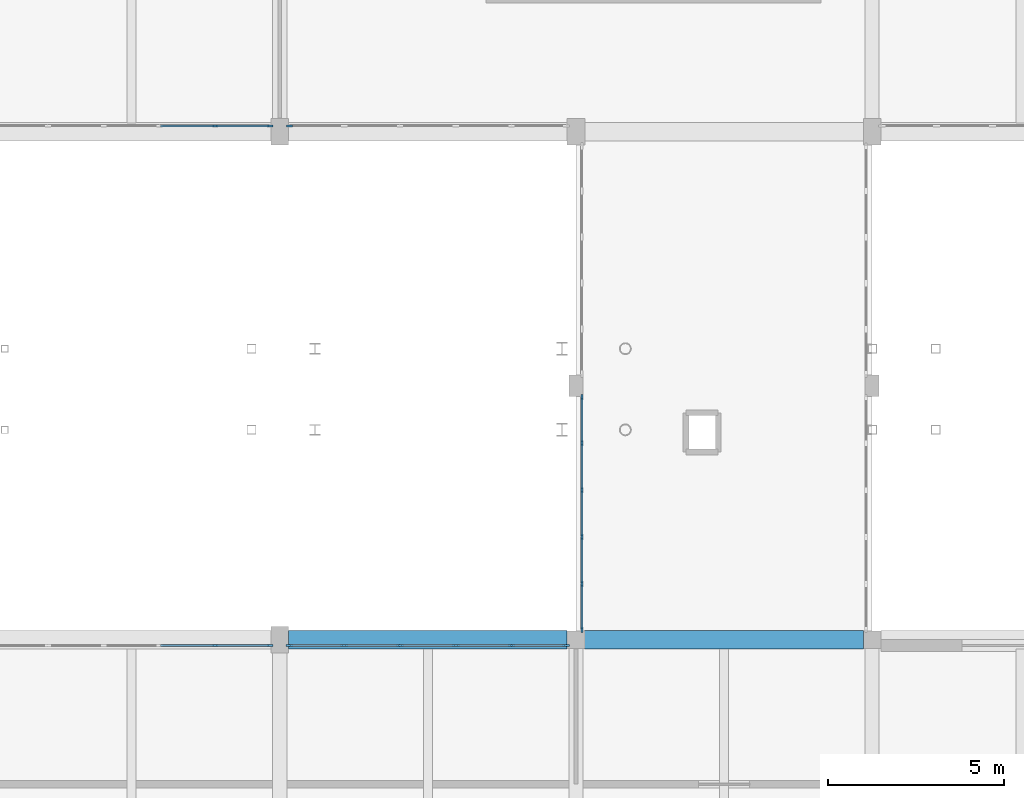
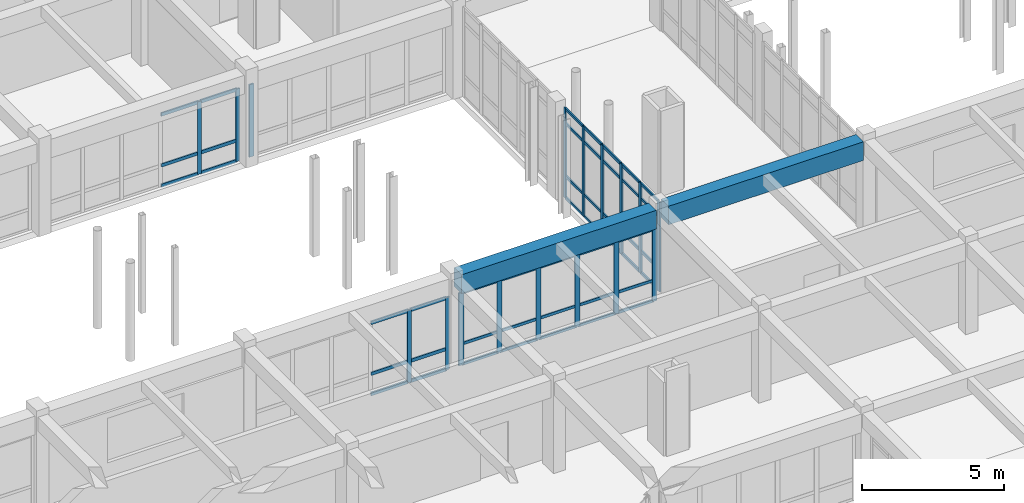
# One storey, part 64 of 147: 64 members, 2 beams, 5 elements without a shape of their own.
"""IFC4 building model written with IfcOpenShell, lengths in metres."""

from ifc_helpers import new_model, si_unit, direction, frame, origin, origin_2d, place, context, subcontext, project, spatial, rectangle, extrude, material, material_profile, profile_set, type_object, element, aggregate, save


model = new_model("IFC4")

# Units and contexts
model_context = context("Model", 3, precision=1e-05, world=origin(), true_north=direction((0.0, 1.0)))
body_context = subcontext(model_context, "Body", "Model", "MODEL_VIEW")
ifc_project = project(units=[si_unit("LENGTHUNIT", "METRE"), si_unit("AREAUNIT", "SQUARE_METRE"), si_unit("VOLUMEUNIT", "CUBIC_METRE"), si_unit("PLANEANGLEUNIT", "RADIAN"), si_unit("MASSUNIT", "GRAM", prefix="KILO")], contexts=[model_context])

# Site, building, storey
site_placement = place(None, origin())
site = spatial("IfcSite", under=ifc_project, at=site_placement, CompositionType="ELEMENT")
building_placement = place(site_placement, origin())
building = spatial("IfcBuilding", under=site, at=building_placement, Name="Malvenik Polytechnic", CompositionType="ELEMENT")
storey_placement = place(building_placement, frame((0.0, 0.0, 5.10009765625)))
storey = spatial("IfcBuildingStorey", under=building, at=storey_placement, Name="L01", CompositionType="ELEMENT", Elevation=5.10009765625)

# Curtain wall, members
ifc_material_1 = material(Name="Anodised aluminium 6060-T6", Category="aluminium")
curtain_wall_type_1 = type_object("IfcCurtainWallType", Name="ARC-CW-CW-04", PredefinedType="NOTDEFINED", material=ifc_material_1)
curtain_wall_1_placement = place(storey_placement, origin())
curtain_wall_1 = element("IfcCurtainWall", 1, at=curtain_wall_1_placement, inside=storey, type_object=curtain_wall_type_1, Name="Unitised Curtain Wall CW-04 L01 #23", PredefinedType="NOTDEFINED")
ifc_material_2 = material(Name="Anodised aluminium", Category="aluminium")
ifc_material_profile_1 = material_profile(ifc_material_2, rectangle(XDim=0.06005859375, YDim=0.159912109375, at=origin_2d()), Name="ALU MULLION 60x160")
ifc_profile_set_1 = profile_set([ifc_material_profile_1], Name="Anodised aluminium")
member_type_1 = type_object("IfcMemberType", Name="ARC-CWM-160", PredefinedType="MULLION", material=ifc_profile_set_1)
member_1_placement = place(storey_placement, frame((75.77001953125, 65.077880859375, 0.0), z_axis=(0.0, 0.0, 1.0), x_axis=(-1.0, 0.0, 0.0)))
member_1 = element("IfcMember", 2, at=member_1_placement, type_object=member_type_1, Name="CW-04 mullion 1", PredefinedType="MULLION", context=body_context, shape_type="SweptSolid", body=[
    extrude(rectangle(XDim=0.06005859375, YDim=0.159912109375, at=origin_2d()), origin(), (0.0, 0.0, 1.0), 3.85986328125),
])
member_2_placement = place(storey_placement, frame((75.77001953125, 66.37890625, 0.0), z_axis=(0.0, 0.0, 1.0), x_axis=(-1.0, 0.0, 0.0)))
member_2 = element("IfcMember", 3, at=member_2_placement, type_object=member_type_1, Name="CW-04 mullion 2", PredefinedType="MULLION", context=body_context, shape_type="SweptSolid", body=[
    extrude(rectangle(XDim=0.06005859375, YDim=0.159912109375, at=origin_2d()), origin(), (0.0, 0.0, 1.0), 3.85986328125),
])
member_3_placement = place(storey_placement, frame((75.77001953125, 67.709716796875, 0.0), z_axis=(0.0, 0.0, 1.0), x_axis=(-1.0, 0.0, 0.0)))
member_3 = element("IfcMember", 4, at=member_3_placement, type_object=member_type_1, Name="CW-04 mullion 3", PredefinedType="MULLION", context=body_context, shape_type="SweptSolid", body=[
    extrude(rectangle(XDim=0.06005859375, YDim=0.159912109375, at=origin_2d()), origin(), (0.0, 0.0, 1.0), 3.85986328125),
])
member_4_placement = place(storey_placement, frame((75.77001953125, 69.040283203125, 0.0), z_axis=(0.0, 0.0, 1.0), x_axis=(-1.0, 0.0, 0.0)))
member_4 = element("IfcMember", 5, at=member_4_placement, type_object=member_type_1, Name="CW-04 mullion 4", PredefinedType="MULLION", context=body_context, shape_type="SweptSolid", body=[
    extrude(rectangle(XDim=0.06005859375, YDim=0.159912109375, at=origin_2d()), origin(), (0.0, 0.0, 1.0), 3.85986328125),
])
member_5_placement = place(storey_placement, frame((75.77001953125, 70.37109375, 0.0), z_axis=(0.0, 0.0, 1.0), x_axis=(-1.0, 0.0, 0.0)))
member_5 = element("IfcMember", 6, at=member_5_placement, type_object=member_type_1, Name="CW-04 mullion 5", PredefinedType="MULLION", context=body_context, shape_type="SweptSolid", body=[
    extrude(rectangle(XDim=0.06005859375, YDim=0.159912109375, at=origin_2d()), origin(), (0.0, 0.0, 1.0), 3.85986328125),
])
member_6_placement = place(storey_placement, frame((75.77001953125, 71.672119140625, 0.0), z_axis=(0.0, 0.0, 1.0), x_axis=(-1.0, 0.0, 0.0)))
member_6 = element("IfcMember", 7, at=member_6_placement, type_object=member_type_1, Name="CW-04 mullion 6", PredefinedType="MULLION", context=body_context, shape_type="SweptSolid", body=[
    extrude(rectangle(XDim=0.06005859375, YDim=0.159912109375, at=origin_2d()), origin(), (0.0, 0.0, 1.0), 3.85986328125),
])

curtain_wall_type_2 = type_object("IfcCurtainWallType", Name="ARC-CW-CW-02", PredefinedType="NOTDEFINED", material=ifc_material_1)
curtain_wall_2_placement = place(storey_placement, origin())
curtain_wall_2 = element("IfcCurtainWall", 8, at=curtain_wall_2_placement, inside=storey, type_object=curtain_wall_type_2, Name="Unitised Curtain Wall CW-02 L01 #26", PredefinedType="NOTDEFINED")
member_7_placement = place(storey_placement, frame((66.922119140625, 79.3701171875, 0.0), z_axis=(0.0, 0.0, 1.0), x_axis=(0.0, -1.0, 0.0)))
member_7 = element("IfcMember", 9, at=member_7_placement, type_object=member_type_1, Name="CW-02 mullion 1", PredefinedType="MULLION", context=body_context, shape_type="SweptSolid", body=[
    extrude(rectangle(XDim=0.06005859375, YDim=0.159912109375, at=origin_2d()), origin(), (0.0, 0.0, 1.0), 3.10986328125),
])
member_8_placement = place(storey_placement, frame((65.37109375, 79.3701171875, 0.0), z_axis=(0.0, 0.0, 1.0), x_axis=(0.0, -1.0, 0.0)))
member_8 = element("IfcMember", 10, at=member_8_placement, type_object=member_type_1, Name="CW-02 mullion 2", PredefinedType="MULLION", context=body_context, shape_type="SweptSolid", body=[
    extrude(rectangle(XDim=0.06005859375, YDim=0.159912109375, at=origin_2d()), origin(), (0.0, 0.0, 1.0), 3.10986328125),
])

curtain_wall_3_placement = place(storey_placement, origin())
curtain_wall_3 = element("IfcCurtainWall", 11, at=curtain_wall_3_placement, inside=storey, type_object=curtain_wall_type_2, Name="Unitised Curtain Wall CW-02 L01 #128", PredefinedType="NOTDEFINED")
member_9_placement = place(storey_placement, frame((65.37109375, 64.6298828125, 0.0), z_axis=(0.0, 0.0, 1.0), x_axis=(0.0, 1.0, 0.0)))
member_9 = element("IfcMember", 12, at=member_9_placement, type_object=member_type_1, Name="CW-02 mullion 5", PredefinedType="MULLION", context=body_context, shape_type="SweptSolid", body=[
    extrude(rectangle(XDim=0.06005859375, YDim=0.159912109375, at=origin_2d()), origin(), (0.0, 0.0, 1.0), 3.10986328125),
])
member_10_placement = place(storey_placement, frame((66.922119140625, 64.6298828125, 0.0), z_axis=(0.0, 0.0, 1.0), x_axis=(0.0, 1.0, 0.0)))
member_10 = element("IfcMember", 13, at=member_10_placement, type_object=member_type_1, Name="CW-02 mullion 6", PredefinedType="MULLION", context=body_context, shape_type="SweptSolid", body=[
    extrude(rectangle(XDim=0.06005859375, YDim=0.159912109375, at=origin_2d()), origin(), (0.0, 0.0, 1.0), 3.10986328125),
])

# Curtain wall, member
curtain_wall_4_placement = place(storey_placement, origin())
curtain_wall_4 = element("IfcCurtainWall", 14, at=curtain_wall_4_placement, inside=storey, type_object=curtain_wall_type_2, Name="Unitised Curtain Wall CW-02 L01 #25", PredefinedType="NOTDEFINED")
ifc_material_profile_2 = material_profile(ifc_material_2, rectangle(XDim=0.06005859375, YDim=0.179931640625, at=origin_2d()), Name="ALU MULLION 60x180")
ifc_profile_set_2 = profile_set([ifc_material_profile_2], Name="Anodised aluminium")
member_type_2 = type_object("IfcMemberType", Name="ARC-CWM-180", PredefinedType="MULLION", material=ifc_profile_set_2)
member_11_placement = place(storey_placement, frame((67.47802734375, 79.3701171875, 0.0), z_axis=(0.0, 0.0, 1.0), x_axis=(0.0, -1.0, 0.0)))
member_11 = element("IfcMember", 15, at=member_11_placement, type_object=member_type_2, Name="CW-02 mullion 6", PredefinedType="MULLION", context=body_context, shape_type="SweptSolid", body=[
    extrude(rectangle(XDim=0.06005859375, YDim=0.179931640625, at=origin_2d()), origin(), (0.0, 0.0, 1.0), 3.10986328125),
])
aggregate(curtain_wall_4, [member_11])

# Curtain wall, members
curtain_wall_5_placement = place(storey_placement, origin())
curtain_wall_5 = element("IfcCurtainWall", 16, at=curtain_wall_5_placement, inside=storey, type_object=curtain_wall_type_2, Name="Unitised Curtain Wall CW-02 L01 #129", PredefinedType="NOTDEFINED")
ifc_material_profile_3 = material_profile(ifc_material_2, rectangle(XDim=0.06005859375, YDim=0.199951171875, at=origin_2d()), Name="ALU MULLION 60x200")
ifc_profile_set_3 = profile_set([ifc_material_profile_3], Name="Anodised aluminium")
member_type_3 = type_object("IfcMemberType", Name="ARC-CWM-200", PredefinedType="MULLION", material=ifc_profile_set_3)
member_12_placement = place(storey_placement, frame((67.47802734375, 64.6298828125, 0.0), z_axis=(0.0, 0.0, 1.0), x_axis=(0.0, 1.0, 0.0)))
member_12 = element("IfcMember", 17, at=member_12_placement, type_object=member_type_3, Name="CW-02 mullion 1", PredefinedType="MULLION", context=body_context, shape_type="SweptSolid", body=[
    extrude(rectangle(XDim=0.06005859375, YDim=0.199951171875, at=origin_2d()), origin(), (0.0, 0.0, 1.0), 3.10986328125),
])
member_13_placement = place(storey_placement, frame((69.02880859375, 64.6298828125, 0.0), z_axis=(0.0, 0.0, 1.0), x_axis=(0.0, 1.0, 0.0)))
member_13 = element("IfcMember", 18, at=member_13_placement, type_object=member_type_3, Name="CW-02 mullion 2", PredefinedType="MULLION", context=body_context, shape_type="SweptSolid", body=[
    extrude(rectangle(XDim=0.06005859375, YDim=0.199951171875, at=origin_2d()), origin(), (0.0, 0.0, 1.0), 3.10986328125),
])
member_14_placement = place(storey_placement, frame((70.609619140625, 64.6298828125, 0.0), z_axis=(0.0, 0.0, 1.0), x_axis=(0.0, 1.0, 0.0)))
member_14 = element("IfcMember", 19, at=member_14_placement, type_object=member_type_3, Name="CW-02 mullion 3", PredefinedType="MULLION", context=body_context, shape_type="SweptSolid", body=[
    extrude(rectangle(XDim=0.06005859375, YDim=0.199951171875, at=origin_2d()), origin(), (0.0, 0.0, 1.0), 3.10986328125),
])
member_15_placement = place(storey_placement, frame((72.1904296875, 64.6298828125, 0.0), z_axis=(0.0, 0.0, 1.0), x_axis=(0.0, 1.0, 0.0)))
member_15 = element("IfcMember", 20, at=member_15_placement, type_object=member_type_3, Name="CW-02 mullion 4", PredefinedType="MULLION", context=body_context, shape_type="SweptSolid", body=[
    extrude(rectangle(XDim=0.06005859375, YDim=0.199951171875, at=origin_2d()), origin(), (0.0, 0.0, 1.0), 3.10986328125),
])
member_16_placement = place(storey_placement, frame((73.771240234375, 64.6298828125, 0.0), z_axis=(0.0, 0.0, 1.0), x_axis=(0.0, 1.0, 0.0)))
member_16 = element("IfcMember", 21, at=member_16_placement, type_object=member_type_3, Name="CW-02 mullion 5", PredefinedType="MULLION", context=body_context, shape_type="SweptSolid", body=[
    extrude(rectangle(XDim=0.06005859375, YDim=0.199951171875, at=origin_2d()), origin(), (0.0, 0.0, 1.0), 3.10986328125),
])
member_17_placement = place(storey_placement, frame((75.322021484375, 64.6298828125, 0.0), z_axis=(0.0, 0.0, 1.0), x_axis=(0.0, 1.0, 0.0)))
member_17 = element("IfcMember", 22, at=member_17_placement, type_object=member_type_3, Name="CW-02 mullion 6", PredefinedType="MULLION", context=body_context, shape_type="SweptSolid", body=[
    extrude(rectangle(XDim=0.06005859375, YDim=0.199951171875, at=origin_2d()), origin(), (0.0, 0.0, 1.0), 3.10986328125),
])

# Member
ifc_material_profile_4 = material_profile(ifc_material_2, rectangle(XDim=0.06005859375, YDim=0.1201171875, at=origin_2d()), Name="ALU TRANSOM 60x120")
ifc_profile_set_4 = profile_set([ifc_material_profile_4], Name="Anodised aluminium")
member_type_4 = type_object("IfcMemberType", Name="ARC-CWT-120", PredefinedType="USERDEFINED", material=ifc_profile_set_4)
member_18_placement = place(storey_placement, frame((75.77001953125, 65.10791015625, 0.02978515625), z_axis=(0.0, 1.0, 0.0), x_axis=(-1.0, 0.0, 0.0)))
member_18 = element("IfcMember", 23, at=member_18_placement, type_object=member_type_4, Name="CW-04 transom 1.1", ObjectType="TRANSOM", PredefinedType="USERDEFINED", context=body_context, shape_type="SweptSolid", body=[
    extrude(rectangle(XDim=0.06005859375, YDim=0.1201171875, at=origin_2d()), origin(), (0.0, 0.0, 1.0), 1.240966796875),
])

member_19_placement = place(storey_placement, frame((75.77001953125, 65.10791015625, 0.949951171875), z_axis=(0.0, 1.0, 0.0), x_axis=(-1.0, 0.0, 0.0)))
member_19 = element("IfcMember", 24, at=member_19_placement, type_object=member_type_4, Name="CW-04 transom 1.2", ObjectType="TRANSOM", PredefinedType="USERDEFINED", context=body_context, shape_type="SweptSolid", body=[
    extrude(rectangle(XDim=0.06005859375, YDim=0.1201171875, at=origin_2d()), origin(), (0.0, 0.0, 1.0), 1.240966796875),
])

member_20_placement = place(storey_placement, frame((75.77001953125, 65.10791015625, 3.2099609375), z_axis=(0.0, 1.0, 0.0), x_axis=(-1.0, 0.0, 0.0)))
member_20 = element("IfcMember", 25, at=member_20_placement, type_object=member_type_4, Name="CW-04 transom 1.3", ObjectType="TRANSOM", PredefinedType="USERDEFINED", context=body_context, shape_type="SweptSolid", body=[
    extrude(rectangle(XDim=0.06005859375, YDim=0.1201171875, at=origin_2d()), origin(), (0.0, 0.0, 1.0), 1.240966796875),
])

member_21_placement = place(storey_placement, frame((75.77001953125, 65.10791015625, 3.829833984375), z_axis=(0.0, 1.0, 0.0), x_axis=(-1.0, 0.0, 0.0)))
member_21 = element("IfcMember", 26, at=member_21_placement, type_object=member_type_4, Name="CW-04 transom 1.4", ObjectType="TRANSOM", PredefinedType="USERDEFINED", context=body_context, shape_type="SweptSolid", body=[
    extrude(rectangle(XDim=0.06005859375, YDim=0.1201171875, at=origin_2d()), origin(), (0.0, 0.0, 1.0), 1.240966796875),
])

member_22_placement = place(storey_placement, frame((75.77001953125, 66.40869140625, 0.02978515625), z_axis=(0.0, 1.0, 0.0), x_axis=(-1.0, 0.0, 0.0)))
member_22 = element("IfcMember", 27, at=member_22_placement, type_object=member_type_4, Name="CW-04 transom 2.1", ObjectType="TRANSOM", PredefinedType="USERDEFINED", context=body_context, shape_type="SweptSolid", body=[
    extrude(rectangle(XDim=0.06005859375, YDim=0.1201171875, at=origin_2d()), origin(), (0.0, 0.0, 1.0), 1.27099609375),
])

member_23_placement = place(storey_placement, frame((75.77001953125, 66.40869140625, 0.949951171875), z_axis=(0.0, 1.0, 0.0), x_axis=(-1.0, 0.0, 0.0)))
member_23 = element("IfcMember", 28, at=member_23_placement, type_object=member_type_4, Name="CW-04 transom 2.2", ObjectType="TRANSOM", PredefinedType="USERDEFINED", context=body_context, shape_type="SweptSolid", body=[
    extrude(rectangle(XDim=0.06005859375, YDim=0.1201171875, at=origin_2d()), origin(), (0.0, 0.0, 1.0), 1.27099609375),
])

member_24_placement = place(storey_placement, frame((75.77001953125, 66.40869140625, 3.2099609375), z_axis=(0.0, 1.0, 0.0), x_axis=(-1.0, 0.0, 0.0)))
member_24 = element("IfcMember", 29, at=member_24_placement, type_object=member_type_4, Name="CW-04 transom 2.3", ObjectType="TRANSOM", PredefinedType="USERDEFINED", context=body_context, shape_type="SweptSolid", body=[
    extrude(rectangle(XDim=0.06005859375, YDim=0.1201171875, at=origin_2d()), origin(), (0.0, 0.0, 1.0), 1.27099609375),
])

member_25_placement = place(storey_placement, frame((75.77001953125, 66.40869140625, 3.829833984375), z_axis=(0.0, 1.0, 0.0), x_axis=(-1.0, 0.0, 0.0)))
member_25 = element("IfcMember", 30, at=member_25_placement, type_object=member_type_4, Name="CW-04 transom 2.4", ObjectType="TRANSOM", PredefinedType="USERDEFINED", context=body_context, shape_type="SweptSolid", body=[
    extrude(rectangle(XDim=0.06005859375, YDim=0.1201171875, at=origin_2d()), origin(), (0.0, 0.0, 1.0), 1.27099609375),
])

member_26_placement = place(storey_placement, frame((75.77001953125, 67.739501953125, 0.02978515625), z_axis=(0.0, 1.0, 0.0), x_axis=(-1.0, 0.0, 0.0)))
member_26 = element("IfcMember", 31, at=member_26_placement, type_object=member_type_4, Name="CW-04 transom 3.1", ObjectType="TRANSOM", PredefinedType="USERDEFINED", context=body_context, shape_type="SweptSolid", body=[
    extrude(rectangle(XDim=0.06005859375, YDim=0.1201171875, at=origin_2d()), origin(), (0.0, 0.0, 1.0), 1.27099609375),
])

member_27_placement = place(storey_placement, frame((75.77001953125, 67.739501953125, 0.949951171875), z_axis=(0.0, 1.0, 0.0), x_axis=(-1.0, 0.0, 0.0)))
member_27 = element("IfcMember", 32, at=member_27_placement, type_object=member_type_4, Name="CW-04 transom 3.2", ObjectType="TRANSOM", PredefinedType="USERDEFINED", context=body_context, shape_type="SweptSolid", body=[
    extrude(rectangle(XDim=0.06005859375, YDim=0.1201171875, at=origin_2d()), origin(), (0.0, 0.0, 1.0), 1.27099609375),
])

member_28_placement = place(storey_placement, frame((75.77001953125, 67.739501953125, 3.2099609375), z_axis=(0.0, 1.0, 0.0), x_axis=(-1.0, 0.0, 0.0)))
member_28 = element("IfcMember", 33, at=member_28_placement, type_object=member_type_4, Name="CW-04 transom 3.3", ObjectType="TRANSOM", PredefinedType="USERDEFINED", context=body_context, shape_type="SweptSolid", body=[
    extrude(rectangle(XDim=0.06005859375, YDim=0.1201171875, at=origin_2d()), origin(), (0.0, 0.0, 1.0), 1.27099609375),
])

member_29_placement = place(storey_placement, frame((75.77001953125, 67.739501953125, 3.829833984375), z_axis=(0.0, 1.0, 0.0), x_axis=(-1.0, 0.0, 0.0)))
member_29 = element("IfcMember", 34, at=member_29_placement, type_object=member_type_4, Name="CW-04 transom 3.4", ObjectType="TRANSOM", PredefinedType="USERDEFINED", context=body_context, shape_type="SweptSolid", body=[
    extrude(rectangle(XDim=0.06005859375, YDim=0.1201171875, at=origin_2d()), origin(), (0.0, 0.0, 1.0), 1.27099609375),
])

member_30_placement = place(storey_placement, frame((75.77001953125, 69.0703125, 0.02978515625), z_axis=(0.0, 1.0, 0.0), x_axis=(-1.0, 0.0, 0.0)))
member_30 = element("IfcMember", 35, at=member_30_placement, type_object=member_type_4, Name="CW-04 transom 4.1", ObjectType="TRANSOM", PredefinedType="USERDEFINED", context=body_context, shape_type="SweptSolid", body=[
    extrude(rectangle(XDim=0.06005859375, YDim=0.1201171875, at=origin_2d()), origin(), (0.0, 0.0, 1.0), 1.27099609375),
])

member_31_placement = place(storey_placement, frame((75.77001953125, 69.0703125, 0.949951171875), z_axis=(0.0, 1.0, 0.0), x_axis=(-1.0, 0.0, 0.0)))
member_31 = element("IfcMember", 36, at=member_31_placement, type_object=member_type_4, Name="CW-04 transom 4.2", ObjectType="TRANSOM", PredefinedType="USERDEFINED", context=body_context, shape_type="SweptSolid", body=[
    extrude(rectangle(XDim=0.06005859375, YDim=0.1201171875, at=origin_2d()), origin(), (0.0, 0.0, 1.0), 1.27099609375),
])

member_32_placement = place(storey_placement, frame((75.77001953125, 69.0703125, 3.2099609375), z_axis=(0.0, 1.0, 0.0), x_axis=(-1.0, 0.0, 0.0)))
member_32 = element("IfcMember", 37, at=member_32_placement, type_object=member_type_4, Name="CW-04 transom 4.3", ObjectType="TRANSOM", PredefinedType="USERDEFINED", context=body_context, shape_type="SweptSolid", body=[
    extrude(rectangle(XDim=0.06005859375, YDim=0.1201171875, at=origin_2d()), origin(), (0.0, 0.0, 1.0), 1.27099609375),
])

member_33_placement = place(storey_placement, frame((75.77001953125, 69.0703125, 3.829833984375), z_axis=(0.0, 1.0, 0.0), x_axis=(-1.0, 0.0, 0.0)))
member_33 = element("IfcMember", 38, at=member_33_placement, type_object=member_type_4, Name="CW-04 transom 4.4", ObjectType="TRANSOM", PredefinedType="USERDEFINED", context=body_context, shape_type="SweptSolid", body=[
    extrude(rectangle(XDim=0.06005859375, YDim=0.1201171875, at=origin_2d()), origin(), (0.0, 0.0, 1.0), 1.27099609375),
])

member_34_placement = place(storey_placement, frame((75.77001953125, 70.401123046875, 0.02978515625), z_axis=(0.0, 1.0, 0.0), x_axis=(-1.0, 0.0, 0.0)))
member_34 = element("IfcMember", 39, at=member_34_placement, type_object=member_type_4, Name="CW-04 transom 5.1", ObjectType="TRANSOM", PredefinedType="USERDEFINED", context=body_context, shape_type="SweptSolid", body=[
    extrude(rectangle(XDim=0.06005859375, YDim=0.1201171875, at=origin_2d()), origin(), (0.0, 0.0, 1.0), 1.240966796875),
])

member_35_placement = place(storey_placement, frame((75.77001953125, 70.401123046875, 0.949951171875), z_axis=(0.0, 1.0, 0.0), x_axis=(-1.0, 0.0, 0.0)))
member_35 = element("IfcMember", 40, at=member_35_placement, type_object=member_type_4, Name="CW-04 transom 5.2", ObjectType="TRANSOM", PredefinedType="USERDEFINED", context=body_context, shape_type="SweptSolid", body=[
    extrude(rectangle(XDim=0.06005859375, YDim=0.1201171875, at=origin_2d()), origin(), (0.0, 0.0, 1.0), 1.240966796875),
])

member_36_placement = place(storey_placement, frame((75.77001953125, 70.401123046875, 3.2099609375), z_axis=(0.0, 1.0, 0.0), x_axis=(-1.0, 0.0, 0.0)))
member_36 = element("IfcMember", 41, at=member_36_placement, type_object=member_type_4, Name="CW-04 transom 5.3", ObjectType="TRANSOM", PredefinedType="USERDEFINED", context=body_context, shape_type="SweptSolid", body=[
    extrude(rectangle(XDim=0.06005859375, YDim=0.1201171875, at=origin_2d()), origin(), (0.0, 0.0, 1.0), 1.240966796875),
])

member_37_placement = place(storey_placement, frame((75.77001953125, 70.401123046875, 3.829833984375), z_axis=(0.0, 1.0, 0.0), x_axis=(-1.0, 0.0, 0.0)))
member_37 = element("IfcMember", 42, at=member_37_placement, type_object=member_type_4, Name="CW-04 transom 5.4", ObjectType="TRANSOM", PredefinedType="USERDEFINED", context=body_context, shape_type="SweptSolid", body=[
    extrude(rectangle(XDim=0.06005859375, YDim=0.1201171875, at=origin_2d()), origin(), (0.0, 0.0, 1.0), 1.240966796875),
])

aggregate(curtain_wall_1, [member_1, member_2, member_3, member_4, member_5, member_6, member_18, member_19, member_20, member_21, member_22, member_23, member_24, member_25, member_26, member_27, member_28, member_29, member_30, member_31, member_32, member_33, member_34, member_35, member_36, member_37])

member_38_placement = place(storey_placement, frame((67.508056640625, 64.6298828125, 0.02978515625), z_axis=(1.0, 0.0, 0.0), x_axis=(0.0, 1.0, 0.0)))
member_38 = element("IfcMember", 43, at=member_38_placement, type_object=member_type_4, Name="CW-02 transom 1.1", ObjectType="TRANSOM", PredefinedType="USERDEFINED", context=body_context, shape_type="SweptSolid", body=[
    extrude(rectangle(XDim=0.06005859375, YDim=0.1201171875, at=origin_2d()), origin(), (0.0, 0.0, 1.0), 1.49072265625),
])

member_39_placement = place(storey_placement, frame((67.508056640625, 64.6298828125, 0.89990234375), z_axis=(1.0, 0.0, 0.0), x_axis=(0.0, 1.0, 0.0)))
member_39 = element("IfcMember", 44, at=member_39_placement, type_object=member_type_4, Name="CW-02 transom 1.2", ObjectType="TRANSOM", PredefinedType="USERDEFINED", context=body_context, shape_type="SweptSolid", body=[
    extrude(rectangle(XDim=0.06005859375, YDim=0.1201171875, at=origin_2d()), origin(), (0.0, 0.0, 1.0), 1.49072265625),
])

member_40_placement = place(storey_placement, frame((67.508056640625, 64.6298828125, 3.079833984375), z_axis=(1.0, 0.0, 0.0), x_axis=(0.0, 1.0, 0.0)))
member_40 = element("IfcMember", 45, at=member_40_placement, type_object=member_type_4, Name="CW-02 transom 1.3", ObjectType="TRANSOM", PredefinedType="USERDEFINED", context=body_context, shape_type="SweptSolid", body=[
    extrude(rectangle(XDim=0.06005859375, YDim=0.1201171875, at=origin_2d()), origin(), (0.0, 0.0, 1.0), 1.49072265625),
])

member_41_placement = place(storey_placement, frame((69.058837890625, 64.6298828125, 0.02978515625), z_axis=(1.0, 0.0, 0.0), x_axis=(0.0, 1.0, 0.0)))
member_41 = element("IfcMember", 46, at=member_41_placement, type_object=member_type_4, Name="CW-02 transom 2.1", ObjectType="TRANSOM", PredefinedType="USERDEFINED", context=body_context, shape_type="SweptSolid", body=[
    extrude(rectangle(XDim=0.06005859375, YDim=0.1201171875, at=origin_2d()), origin(), (0.0, 0.0, 1.0), 1.520751953125),
])

member_42_placement = place(storey_placement, frame((69.058837890625, 64.6298828125, 0.89990234375), z_axis=(1.0, 0.0, 0.0), x_axis=(0.0, 1.0, 0.0)))
member_42 = element("IfcMember", 47, at=member_42_placement, type_object=member_type_4, Name="CW-02 transom 2.2", ObjectType="TRANSOM", PredefinedType="USERDEFINED", context=body_context, shape_type="SweptSolid", body=[
    extrude(rectangle(XDim=0.06005859375, YDim=0.1201171875, at=origin_2d()), origin(), (0.0, 0.0, 1.0), 1.520751953125),
])

member_43_placement = place(storey_placement, frame((69.058837890625, 64.6298828125, 3.079833984375), z_axis=(1.0, 0.0, 0.0), x_axis=(0.0, 1.0, 0.0)))
member_43 = element("IfcMember", 48, at=member_43_placement, type_object=member_type_4, Name="CW-02 transom 2.3", ObjectType="TRANSOM", PredefinedType="USERDEFINED", context=body_context, shape_type="SweptSolid", body=[
    extrude(rectangle(XDim=0.06005859375, YDim=0.1201171875, at=origin_2d()), origin(), (0.0, 0.0, 1.0), 1.520751953125),
])

member_44_placement = place(storey_placement, frame((70.6396484375, 64.6298828125, 0.02978515625), z_axis=(1.0, 0.0, 0.0), x_axis=(0.0, 1.0, 0.0)))
member_44 = element("IfcMember", 49, at=member_44_placement, type_object=member_type_4, Name="CW-02 transom 3.1", ObjectType="TRANSOM", PredefinedType="USERDEFINED", context=body_context, shape_type="SweptSolid", body=[
    extrude(rectangle(XDim=0.06005859375, YDim=0.1201171875, at=origin_2d()), origin(), (0.0, 0.0, 1.0), 1.520751953125),
])

member_45_placement = place(storey_placement, frame((70.6396484375, 64.6298828125, 0.89990234375), z_axis=(1.0, 0.0, 0.0), x_axis=(0.0, 1.0, 0.0)))
member_45 = element("IfcMember", 50, at=member_45_placement, type_object=member_type_4, Name="CW-02 transom 3.2", ObjectType="TRANSOM", PredefinedType="USERDEFINED", context=body_context, shape_type="SweptSolid", body=[
    extrude(rectangle(XDim=0.06005859375, YDim=0.1201171875, at=origin_2d()), origin(), (0.0, 0.0, 1.0), 1.520751953125),
])

member_46_placement = place(storey_placement, frame((70.6396484375, 64.6298828125, 3.079833984375), z_axis=(1.0, 0.0, 0.0), x_axis=(0.0, 1.0, 0.0)))
member_46 = element("IfcMember", 51, at=member_46_placement, type_object=member_type_4, Name="CW-02 transom 3.3", ObjectType="TRANSOM", PredefinedType="USERDEFINED", context=body_context, shape_type="SweptSolid", body=[
    extrude(rectangle(XDim=0.06005859375, YDim=0.1201171875, at=origin_2d()), origin(), (0.0, 0.0, 1.0), 1.520751953125),
])

member_47_placement = place(storey_placement, frame((72.220458984375, 64.6298828125, 0.02978515625), z_axis=(1.0, 0.0, 0.0), x_axis=(0.0, 1.0, 0.0)))
member_47 = element("IfcMember", 52, at=member_47_placement, type_object=member_type_4, Name="CW-02 transom 4.1", ObjectType="TRANSOM", PredefinedType="USERDEFINED", context=body_context, shape_type="SweptSolid", body=[
    extrude(rectangle(XDim=0.06005859375, YDim=0.1201171875, at=origin_2d()), origin(), (0.0, 0.0, 1.0), 1.520751953125),
])

member_48_placement = place(storey_placement, frame((72.220458984375, 64.6298828125, 0.89990234375), z_axis=(1.0, 0.0, 0.0), x_axis=(0.0, 1.0, 0.0)))
member_48 = element("IfcMember", 53, at=member_48_placement, type_object=member_type_4, Name="CW-02 transom 4.2", ObjectType="TRANSOM", PredefinedType="USERDEFINED", context=body_context, shape_type="SweptSolid", body=[
    extrude(rectangle(XDim=0.06005859375, YDim=0.1201171875, at=origin_2d()), origin(), (0.0, 0.0, 1.0), 1.520751953125),
])

member_49_placement = place(storey_placement, frame((72.220458984375, 64.6298828125, 3.079833984375), z_axis=(1.0, 0.0, 0.0), x_axis=(0.0, 1.0, 0.0)))
member_49 = element("IfcMember", 54, at=member_49_placement, type_object=member_type_4, Name="CW-02 transom 4.3", ObjectType="TRANSOM", PredefinedType="USERDEFINED", context=body_context, shape_type="SweptSolid", body=[
    extrude(rectangle(XDim=0.06005859375, YDim=0.1201171875, at=origin_2d()), origin(), (0.0, 0.0, 1.0), 1.520751953125),
])

member_50_placement = place(storey_placement, frame((73.80126953125, 64.6298828125, 0.02978515625), z_axis=(1.0, 0.0, 0.0), x_axis=(0.0, 1.0, 0.0)))
member_50 = element("IfcMember", 55, at=member_50_placement, type_object=member_type_4, Name="CW-02 transom 5.1", ObjectType="TRANSOM", PredefinedType="USERDEFINED", context=body_context, shape_type="SweptSolid", body=[
    extrude(rectangle(XDim=0.06005859375, YDim=0.1201171875, at=origin_2d()), origin(), (0.0, 0.0, 1.0), 1.49072265625),
])

member_51_placement = place(storey_placement, frame((73.80126953125, 64.6298828125, 0.89990234375), z_axis=(1.0, 0.0, 0.0), x_axis=(0.0, 1.0, 0.0)))
member_51 = element("IfcMember", 56, at=member_51_placement, type_object=member_type_4, Name="CW-02 transom 5.2", ObjectType="TRANSOM", PredefinedType="USERDEFINED", context=body_context, shape_type="SweptSolid", body=[
    extrude(rectangle(XDim=0.06005859375, YDim=0.1201171875, at=origin_2d()), origin(), (0.0, 0.0, 1.0), 1.49072265625),
])

member_52_placement = place(storey_placement, frame((73.80126953125, 64.6298828125, 3.079833984375), z_axis=(1.0, 0.0, 0.0), x_axis=(0.0, 1.0, 0.0)))
member_52 = element("IfcMember", 57, at=member_52_placement, type_object=member_type_4, Name="CW-02 transom 5.3", ObjectType="TRANSOM", PredefinedType="USERDEFINED", context=body_context, shape_type="SweptSolid", body=[
    extrude(rectangle(XDim=0.06005859375, YDim=0.1201171875, at=origin_2d()), origin(), (0.0, 0.0, 1.0), 1.49072265625),
])

aggregate(curtain_wall_5, [member_12, member_13, member_14, member_15, member_16, member_17, member_38, member_39, member_40, member_41, member_42, member_43, member_44, member_45, member_46, member_47, member_48, member_49, member_50, member_51, member_52])

ifc_material_profile_5 = material_profile(ifc_material_2, rectangle(XDim=0.06005859375, YDim=0.139892578125, at=origin_2d()), Name="ALU TRANSOM 60x140")
ifc_profile_set_5 = profile_set([ifc_material_profile_5], Name="Anodised aluminium")
member_type_5 = type_object("IfcMemberType", Name="ARC-CWT-140", PredefinedType="USERDEFINED", material=ifc_profile_set_5)
member_53_placement = place(storey_placement, frame((66.89208984375, 79.3701171875, 0.02978515625), z_axis=(-1.0, 0.0, 0.0), x_axis=(0.0, -1.0, 0.0)))
member_53 = element("IfcMember", 58, at=member_53_placement, type_object=member_type_5, Name="CW-02 transom 1.1", ObjectType="TRANSOM", PredefinedType="USERDEFINED", context=body_context, shape_type="SweptSolid", body=[
    extrude(rectangle(XDim=0.06005859375, YDim=0.139892578125, at=origin_2d()), origin(), (0.0, 0.0, 1.0), 1.490966796875),
])

member_54_placement = place(storey_placement, frame((66.89208984375, 79.3701171875, 0.89990234375), z_axis=(-1.0, 0.0, 0.0), x_axis=(0.0, -1.0, 0.0)))
member_54 = element("IfcMember", 59, at=member_54_placement, type_object=member_type_5, Name="CW-02 transom 1.2", ObjectType="TRANSOM", PredefinedType="USERDEFINED", context=body_context, shape_type="SweptSolid", body=[
    extrude(rectangle(XDim=0.06005859375, YDim=0.139892578125, at=origin_2d()), origin(), (0.0, 0.0, 1.0), 1.490966796875),
])

member_55_placement = place(storey_placement, frame((66.89208984375, 79.3701171875, 3.079833984375), z_axis=(-1.0, 0.0, 0.0), x_axis=(0.0, -1.0, 0.0)))
member_55 = element("IfcMember", 60, at=member_55_placement, type_object=member_type_5, Name="CW-02 transom 1.3", ObjectType="TRANSOM", PredefinedType="USERDEFINED", context=body_context, shape_type="SweptSolid", body=[
    extrude(rectangle(XDim=0.06005859375, YDim=0.139892578125, at=origin_2d()), origin(), (0.0, 0.0, 1.0), 1.490966796875),
])

member_56_placement = place(storey_placement, frame((65.34130859375, 79.3701171875, 0.02978515625), z_axis=(-1.0, 0.0, 0.0), x_axis=(0.0, -1.0, 0.0)))
member_56 = element("IfcMember", 61, at=member_56_placement, type_object=member_type_5, Name="CW-02 transom 2.1", ObjectType="TRANSOM", PredefinedType="USERDEFINED", context=body_context, shape_type="SweptSolid", body=[
    extrude(rectangle(XDim=0.06005859375, YDim=0.139892578125, at=origin_2d()), origin(), (0.0, 0.0, 1.0), 1.52099609375),
])

member_57_placement = place(storey_placement, frame((65.34130859375, 79.3701171875, 0.89990234375), z_axis=(-1.0, 0.0, 0.0), x_axis=(0.0, -1.0, 0.0)))
member_57 = element("IfcMember", 62, at=member_57_placement, type_object=member_type_5, Name="CW-02 transom 2.2", ObjectType="TRANSOM", PredefinedType="USERDEFINED", context=body_context, shape_type="SweptSolid", body=[
    extrude(rectangle(XDim=0.06005859375, YDim=0.139892578125, at=origin_2d()), origin(), (0.0, 0.0, 1.0), 1.52099609375),
])

member_58_placement = place(storey_placement, frame((65.34130859375, 79.3701171875, 3.079833984375), z_axis=(-1.0, 0.0, 0.0), x_axis=(0.0, -1.0, 0.0)))
member_58 = element("IfcMember", 63, at=member_58_placement, type_object=member_type_5, Name="CW-02 transom 2.3", ObjectType="TRANSOM", PredefinedType="USERDEFINED", context=body_context, shape_type="SweptSolid", body=[
    extrude(rectangle(XDim=0.06005859375, YDim=0.139892578125, at=origin_2d()), origin(), (0.0, 0.0, 1.0), 1.52099609375),
])

aggregate(curtain_wall_2, [member_7, member_8, member_53, member_54, member_55, member_56, member_57, member_58])

member_59_placement = place(storey_placement, frame((63.8203125, 64.6298828125, 0.02978515625), z_axis=(1.0, 0.0, 0.0), x_axis=(0.0, 1.0, 0.0)))
member_59 = element("IfcMember", 64, at=member_59_placement, type_object=member_type_5, Name="CW-02 transom 4.1", ObjectType="TRANSOM", PredefinedType="USERDEFINED", context=body_context, shape_type="SweptSolid", body=[
    extrude(rectangle(XDim=0.06005859375, YDim=0.139892578125, at=origin_2d()), origin(), (0.0, 0.0, 1.0), 1.52099609375),
])

member_60_placement = place(storey_placement, frame((63.8203125, 64.6298828125, 0.89990234375), z_axis=(1.0, 0.0, 0.0), x_axis=(0.0, 1.0, 0.0)))
member_60 = element("IfcMember", 65, at=member_60_placement, type_object=member_type_5, Name="CW-02 transom 4.2", ObjectType="TRANSOM", PredefinedType="USERDEFINED", context=body_context, shape_type="SweptSolid", body=[
    extrude(rectangle(XDim=0.06005859375, YDim=0.139892578125, at=origin_2d()), origin(), (0.0, 0.0, 1.0), 1.52099609375),
])

member_61_placement = place(storey_placement, frame((63.8203125, 64.6298828125, 3.079833984375), z_axis=(1.0, 0.0, 0.0), x_axis=(0.0, 1.0, 0.0)))
member_61 = element("IfcMember", 66, at=member_61_placement, type_object=member_type_5, Name="CW-02 transom 4.3", ObjectType="TRANSOM", PredefinedType="USERDEFINED", context=body_context, shape_type="SweptSolid", body=[
    extrude(rectangle(XDim=0.06005859375, YDim=0.139892578125, at=origin_2d()), origin(), (0.0, 0.0, 1.0), 1.52099609375),
])

member_62_placement = place(storey_placement, frame((65.401123046875, 64.6298828125, 0.02978515625), z_axis=(1.0, 0.0, 0.0), x_axis=(0.0, 1.0, 0.0)))
member_62 = element("IfcMember", 67, at=member_62_placement, type_object=member_type_5, Name="CW-02 transom 5.1", ObjectType="TRANSOM", PredefinedType="USERDEFINED", context=body_context, shape_type="SweptSolid", body=[
    extrude(rectangle(XDim=0.06005859375, YDim=0.139892578125, at=origin_2d()), origin(), (0.0, 0.0, 1.0), 1.490966796875),
])

member_63_placement = place(storey_placement, frame((65.401123046875, 64.6298828125, 0.89990234375), z_axis=(1.0, 0.0, 0.0), x_axis=(0.0, 1.0, 0.0)))
member_63 = element("IfcMember", 68, at=member_63_placement, type_object=member_type_5, Name="CW-02 transom 5.2", ObjectType="TRANSOM", PredefinedType="USERDEFINED", context=body_context, shape_type="SweptSolid", body=[
    extrude(rectangle(XDim=0.06005859375, YDim=0.139892578125, at=origin_2d()), origin(), (0.0, 0.0, 1.0), 1.490966796875),
])

member_64_placement = place(storey_placement, frame((65.401123046875, 64.6298828125, 3.079833984375), z_axis=(1.0, 0.0, 0.0), x_axis=(0.0, 1.0, 0.0)))
member_64 = element("IfcMember", 69, at=member_64_placement, type_object=member_type_5, Name="CW-02 transom 5.3", ObjectType="TRANSOM", PredefinedType="USERDEFINED", context=body_context, shape_type="SweptSolid", body=[
    extrude(rectangle(XDim=0.06005859375, YDim=0.139892578125, at=origin_2d()), origin(), (0.0, 0.0, 1.0), 1.490966796875),
])

aggregate(curtain_wall_3, [member_9, member_10, member_59, member_60, member_61, member_62, member_63, member_64])

# Beams
ifc_material_3 = material(Name="Precast concrete C40/50", Category="concrete")
ifc_material_profile_6 = material_profile(ifc_material_3, rectangle(XDim=0.52001953125, YDim=0.800048828125, at=origin_2d()), Name="PC SPN 520x800")
ifc_profile_set_6 = profile_set([ifc_material_profile_6], Name="Precast concrete C40/50")
beam_type = type_object("IfcBeamType", Name="STR-BM-SP-01", PredefinedType="SPANDREL", material=ifc_profile_set_6)
for number, where, z_axis, x_axis, name in (
    (70, (67.447998046875, 64.800048828125, 3.52001953125), (1.0, 0.0, 0.0), (0.0, 1.0, 0.0), "Primary Beam SP-01 L01 #1033"),
    (71, (75.847900390625, 64.800048828125, 3.52001953125), (1.0, 0.0, 0.0), (0.0, 1.0, 0.0), "Primary Beam SP-01 L01 #1034"),
):
    element("IfcBeam", number, at=place(storey_placement, frame(where, z_axis=z_axis, x_axis=x_axis)), inside=storey, type_object=beam_type, Name=name, PredefinedType="SPANDREL", context=body_context, shape_type="SweptSolid", body=[
        extrude(rectangle(XDim=0.52001953125, YDim=0.800048828125, at=origin_2d()), origin(), (0.0, 0.0, 1.0), 7.904052734375),
    ])

save(model, "model.ifc")
